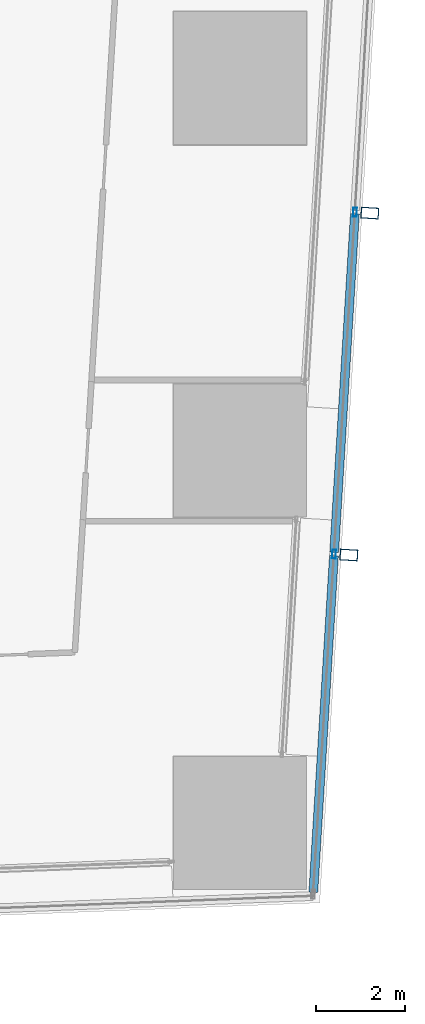
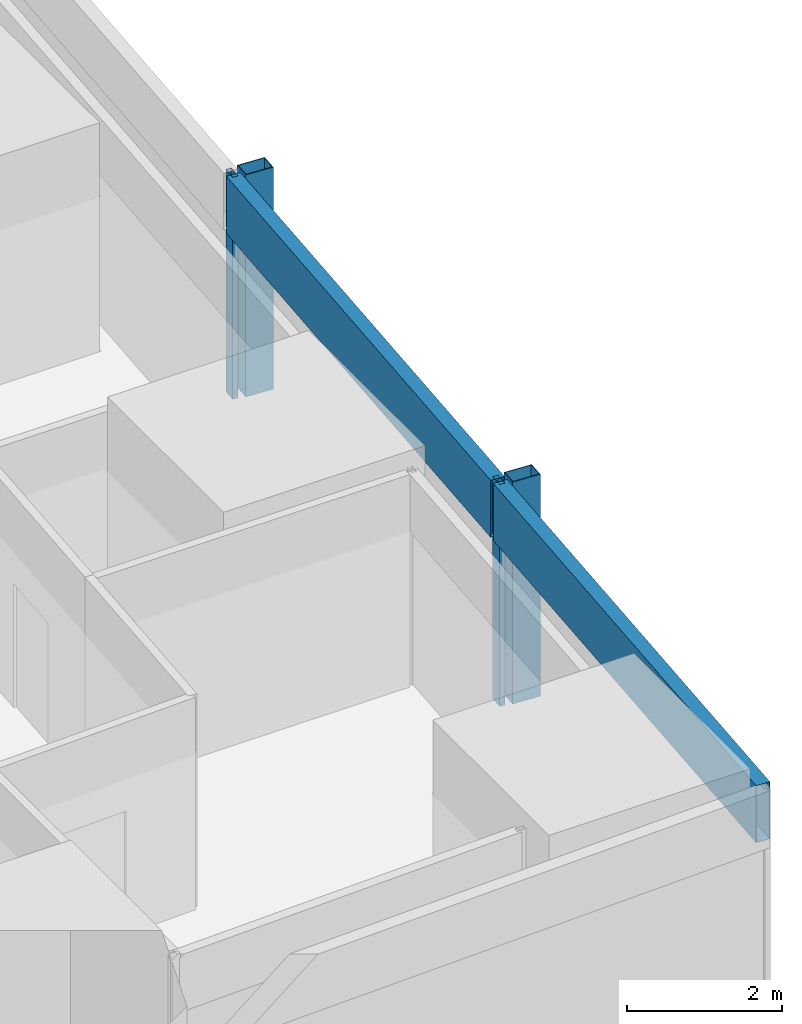
# One storey, part 23 of 39: 6 members, 1 element without a shape of its own.
"""IFC4 building model written with IfcOpenShell, lengths in metres."""

from ifc_helpers import new_model, si_unit, direction, frame, origin, origin_2d, place, context, subcontext, project, spatial, hollow_rectangle, extrude, material, material_profile, profile_set, type_object, element, aggregate, save


model = new_model("IFC4")

# Units and contexts
model_context = context("Model", 3, precision=1e-05, world=origin(), true_north=direction((0.0, 1.0)))
body_context = subcontext(model_context, "Body", "Model", "MODEL_VIEW")
ifc_project = project(units=[si_unit("LENGTHUNIT", "METRE"), si_unit("AREAUNIT", "SQUARE_METRE"), si_unit("VOLUMEUNIT", "CUBIC_METRE"), si_unit("PLANEANGLEUNIT", "RADIAN"), si_unit("MASSUNIT", "GRAM", prefix="KILO")], contexts=[model_context])

# Site, building, storey
site_placement = place(None, origin())
site = spatial("IfcSite", under=ifc_project, at=site_placement, CompositionType="ELEMENT")
building_placement = place(site_placement, origin())
building = spatial("IfcBuilding", under=site, at=building_placement, Name="Rekha Terrace Tower", CompositionType="ELEMENT")
storey_placement = place(building_placement, frame((0.0, 0.0, 155.300048828125)))
storey = spatial("IfcBuildingStorey", under=building, at=storey_placement, Name="L39", CompositionType="ELEMENT", Elevation=155.300048828125)

# Curtain wall, members
ifc_material_1 = material(Name="Aluminium framing", Category="aluminium")
curtain_wall_type = type_object("IfcCurtainWallType", Name="CW2 double skin outer glazing", PredefinedType="USERDEFINED", material=ifc_material_1)
curtain_wall_placement = place(storey_placement, origin())
curtain_wall = element("IfcCurtainWall", 1, at=curtain_wall_placement, inside=storey, type_object=curtain_wall_type, Name="CW2 double skin outer glazing", ObjectType="DOUBLE SKIN OUTER GLAZING", PredefinedType="USERDEFINED")
ifc_material_2 = material(Name="Steel S355 with fluorocarbon finish", Category="steel")
ifc_material_profile_1 = material_profile(ifc_material_2, hollow_rectangle(XDim=0.25, YDim=0.39990234375, WallThickness=0.012451171875, at=origin_2d()), Name="RHS400x250x12.5")
ifc_profile_set_1 = profile_set([ifc_material_profile_1], Name="Steel S355 with fluorocarbon finish")
member_type_1 = type_object("IfcMemberType", Name="BL1 facade blade RHS 400 x 250", PredefinedType="USERDEFINED", material=ifc_profile_set_1)
member_1_placement = place(storey_placement, frame((69.656005859375, 22.845703125, 0.0), z_axis=(0.0, 0.0, 1.0), x_axis=(0.061160031881, 0.998127973008, 0.0)))
member_1 = element("IfcMember", 2, at=member_1_placement, type_object=member_type_1, Name="Facade blade", ObjectType="FACADE BLADE", PredefinedType="USERDEFINED", context=body_context, shape_type="SweptSolid", body=[
    extrude(hollow_rectangle(XDim=0.25, YDim=0.39990234375, WallThickness=0.012451171875, at=origin_2d()), origin(), (0.0, 0.0, 1.0), 3.5),
])
member_2_placement = place(storey_placement, frame((70.128662109375, 30.557861328125, 0.0), z_axis=(0.0, 0.0, 1.0), x_axis=(0.061160031881, 0.998127973008, 0.0)))
member_2 = element("IfcMember", 3, at=member_2_placement, type_object=member_type_1, Name="Facade blade", ObjectType="FACADE BLADE", PredefinedType="USERDEFINED", context=body_context, shape_type="SweptSolid", body=[
    extrude(hollow_rectangle(XDim=0.25, YDim=0.39990234375, WallThickness=0.012451171875, at=origin_2d()), origin(), (0.0, 0.0, 1.0), 3.5),
])
ifc_material_3 = material(Name="Aluminium mullion section", Category="aluminium")
ifc_material_profile_2 = material_profile(ifc_material_3, hollow_rectangle(XDim=0.080078125, YDim=0.199951171875, WallThickness=0.00390625, at=origin_2d()), Name="AL RHS 80x200")
ifc_profile_set_2 = profile_set([ifc_material_profile_2], Name="Aluminium mullion section")
member_type_2 = type_object("IfcMemberType", Name="CW2 mullion RHS 80 x 200", PredefinedType="MULLION", material=ifc_profile_set_2)
member_3_placement = place(storey_placement, frame((69.32177734375, 22.8662109375, 0.0), z_axis=(0.0, 0.0, 1.0), x_axis=(-0.998127987024, 0.061159803131, 0.0)))
member_3 = element("IfcMember", 4, at=member_3_placement, type_object=member_type_2, Name="CW2 mullion 2", PredefinedType="MULLION", context=body_context, shape_type="SweptSolid", body=[
    extrude(hollow_rectangle(XDim=0.080078125, YDim=0.199951171875, WallThickness=0.00390625, at=origin_2d()), origin(), (0.0, 0.0, 1.0), 3.5),
])
member_4_placement = place(storey_placement, frame((69.794189453125, 30.578369140625, 0.0), z_axis=(0.0, 0.0, 1.0), x_axis=(-0.998127987024, 0.061159803131, 0.0)))
member_4 = element("IfcMember", 5, at=member_4_placement, type_object=member_type_2, Name="CW2 mullion 3", PredefinedType="MULLION", context=body_context, shape_type="SweptSolid", body=[
    extrude(hollow_rectangle(XDim=0.080078125, YDim=0.199951171875, WallThickness=0.00390625, at=origin_2d()), origin(), (0.0, 0.0, 1.0), 3.5),
])
ifc_material_4 = material(Name="Insulated aluminium spandrel box", Category="aluminium")
ifc_material_profile_3 = material_profile(ifc_material_4, hollow_rectangle(XDim=0.199951171875, YDim=0.89990234375, WallThickness=0.0029296875, at=origin_2d()), Name="AL SPANDREL BOX 200x900")
ifc_profile_set_3 = profile_set([ifc_material_profile_3], Name="Insulated aluminium spandrel box")
member_type_3 = type_object("IfcMemberType", Name="CW2 spandrel transom 200 x 900", PredefinedType="USERDEFINED", material=ifc_profile_set_3)
member_5_placement = place(storey_placement, frame((68.85400390625, 15.234130859375, 3.050048828125), z_axis=(0.061175320944, 0.998127036057, 0.0), x_axis=(-0.998127036057, 0.061175320944, 0.0)))
member_5 = element("IfcMember", 6, at=member_5_placement, type_object=member_type_3, Name="CW2 spandrel transom 1", ObjectType="TRANSOM", PredefinedType="USERDEFINED", context=body_context, shape_type="SweptSolid", body=[
    extrude(hollow_rectangle(XDim=0.199951171875, YDim=0.89990234375, WallThickness=0.0029296875, at=origin_2d()), origin(), (0.0, 0.0, 1.0), 7.6064453125),
])
member_6_placement = place(storey_placement, frame((69.32421875, 22.90625, 3.050048828125), z_axis=(0.061141871886, 0.998129085591, 0.0), x_axis=(-0.998129085591, 0.061141871886, 0.0)))
member_6 = element("IfcMember", 7, at=member_6_placement, type_object=member_type_3, Name="CW2 spandrel transom 2", ObjectType="TRANSOM", PredefinedType="USERDEFINED", context=body_context, shape_type="SweptSolid", body=[
    extrude(hollow_rectangle(XDim=0.199951171875, YDim=0.89990234375, WallThickness=0.0029296875, at=origin_2d()), origin(), (0.0, 0.0, 1.0), 7.646728515625),
])
aggregate(curtain_wall, [member_3, member_4, member_5, member_6, member_1, member_2])

save(model, "model.ifc")
